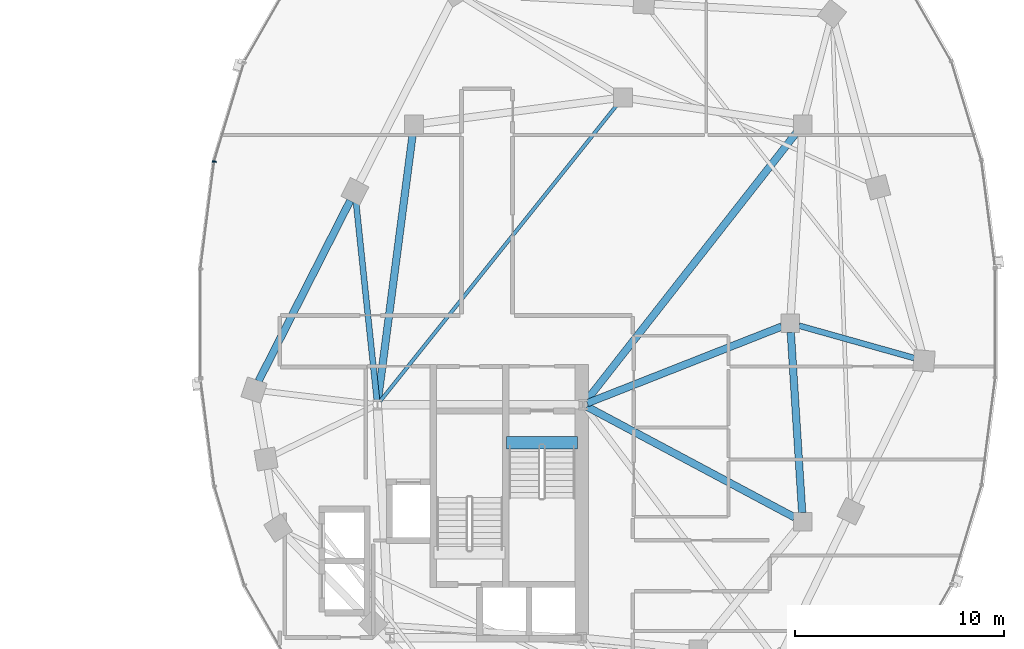
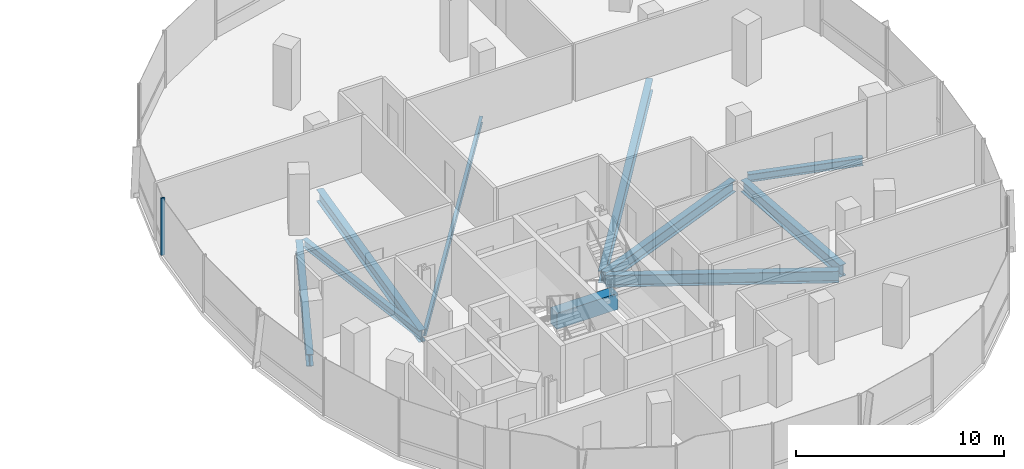
# One storey, part 7 of 22: 10 beams, 1 member, 1 element without a shape of its own.
"""IFC4 building model written with IfcOpenShell, lengths in metres."""

from ifc_helpers import new_model, si_unit, direction, frame, origin, origin_2d, place, context, subcontext, project, spatial, rectangle, i_section, extrude, material, material_profile, profile_set, type_object, element, aggregate, save


model = new_model("IFC4")

# Units and contexts
model_context = context("Model", 3, precision=1e-05, world=origin(), true_north=direction((0.0, 1.0)))
body_context = subcontext(model_context, "Body", "Model", "MODEL_VIEW")
ifc_project = project(units=[si_unit("LENGTHUNIT", "METRE"), si_unit("AREAUNIT", "SQUARE_METRE"), si_unit("VOLUMEUNIT", "CUBIC_METRE"), si_unit("PLANEANGLEUNIT", "RADIAN"), si_unit("MASSUNIT", "GRAM", prefix="KILO"), si_unit("THERMODYNAMICTEMPERATUREUNIT", "KELVIN"), si_unit("POWERUNIT", "WATT")], contexts=[model_context])

# Site, building, storey
site_placement = place(None, origin())
site = spatial("IfcSite", under=ifc_project, at=site_placement, CompositionType="ELEMENT")
building_placement = place(site_placement, origin())
building = spatial("IfcBuilding", under=site, at=building_placement, Name="Cundina Bronze Exchange", CompositionType="ELEMENT")
storey_placement = place(building_placement, frame((0.0, 0.0, 151.199951171875)))
storey = spatial("IfcBuildingStorey", under=building, at=storey_placement, Name="L39", CompositionType="ELEMENT", Elevation=151.199951171875)

# Beams
ifc_material_1 = material(Name="Concrete C60/75", Category="concrete")
ifc_material_profile_1 = material_profile(ifc_material_1, rectangle(XDim=0.60009765625, YDim=0.949951171875, at=origin_2d()), Name="RC600X950", Category="concrete")
ifc_profile_set_1 = profile_set([ifc_material_profile_1], Name="Concrete C60/75")
beam_type_1 = type_object("IfcBeamType", Name="BM-COUP-RC950", PredefinedType="LINTEL", material=ifc_profile_set_1)
beam_1_placement = place(storey_placement, frame((27.6201171875, -5.719970703125, -0.474853515625), z_axis=(1.0, 0.0, 0.0), x_axis=(0.0, 1.0, 0.0)))
element("IfcBeam", 1, at=beam_1_placement, inside=storey, type_object=beam_type_1, Name="L39 Stair E1 Landing Header Beam", PredefinedType="LINTEL", context=body_context, shape_type="SweptSolid", body=[
    extrude(rectangle(XDim=0.60009765625, YDim=0.949951171875, at=origin_2d()), origin(), (0.0, 0.0, 1.0), 3.39990234375),
])
ifc_material_2 = material(Name="Steel ASTM A992 Grade 50", Category="steel")
ifc_material_profile_2 = material_profile(ifc_material_2, i_section(OverallWidth=0.280029296875, OverallDepth=0.462890625, WebThickness=0.0107421875, FlangeThickness=0.017333984375, FilletRadius=0.011962890625, at=origin_2d()), Name="W18X76", Category="steel")
ifc_profile_set_2 = profile_set([ifc_material_profile_2], Name="Steel ASTM A992 Grade 50")
beam_type_2 = type_object("IfcBeamType", Name="BM-FLR-W18A", PredefinedType="BEAM", material=ifc_profile_set_2)
beam_2_placement = place(storey_placement, frame((41.62158203125, -0.11865234375, -0.471435546875), z_axis=(0.962649202648, -0.270751754643, 0.0), x_axis=(0.270751754643, 0.962649202648, 0.0)))
element("IfcBeam", 2, at=beam_2_placement, inside=storey, type_object=beam_type_2, Name="L39 Leg E Chordal Floor Beam 08", PredefinedType="BEAM", context=body_context, shape_type="SweptSolid", body=[
    extrude(i_section(OverallWidth=0.280029296875, OverallDepth=0.462890625, WebThickness=0.0107421875, FlangeThickness=0.017333984375, FilletRadius=0.011962890625, at=origin_2d()), origin(), (0.0, 0.0, 1.0), 5.72216796875),
])
beam_3_placement = place(storey_placement, frame((21.4287109375, -3.697021484375, -0.471435546875), z_axis=(-0.104834931651, 0.9944896365, 0.0), x_axis=(-0.9944896365, -0.104834931651, 0.0)))
element("IfcBeam", 3, at=beam_3_placement, inside=storey, type_object=beam_type_2, Name="L39 Leg E Chordal Floor Beam 13", PredefinedType="BEAM", context=body_context, shape_type="SweptSolid", body=[
    extrude(i_section(OverallWidth=0.280029296875, OverallDepth=0.462890625, WebThickness=0.0107421875, FlangeThickness=0.017333984375, FilletRadius=0.011962890625, at=origin_2d()), origin(), (0.0, 0.0, 1.0), 9.564453125),
])
ifc_material_profile_3 = material_profile(ifc_material_2, i_section(OverallWidth=0.172119140625, OverallDepth=0.35791015625, WebThickness=0.0078125, FlangeThickness=0.01318359375, FilletRadius=0.010009765625, at=origin_2d()), Name="W14X38", Category="steel")
ifc_profile_set_3 = profile_set([ifc_material_profile_3], Name="Steel ASTM A992 Grade 50")
beam_type_3 = type_object("IfcBeamType", Name="BM-JST-W14", PredefinedType="JOIST", material=ifc_profile_set_3)
beam_4_placement = place(storey_placement, frame((21.577392578125, -3.740478515625, -0.4189453125), z_axis=(0.624370675223, 0.781128196854, 0.0), x_axis=(-0.781128196854, 0.624370675223, 0.0)))
element("IfcBeam", 4, at=beam_4_placement, inside=storey, type_object=beam_type_3, Name="L39 E Interior Core-to-Ring Joist 2", PredefinedType="JOIST", context=body_context, shape_type="SweptSolid", body=[
    extrude(i_section(OverallWidth=0.172119140625, OverallDepth=0.35791015625, WebThickness=0.0078125, FlangeThickness=0.01318359375, FilletRadius=0.010009765625, at=origin_2d()), origin(), (0.0, 0.0, 1.0), 18.177001953125),
])
ifc_material_profile_4 = material_profile(ifc_material_2, i_section(OverallWidth=0.35498046875, OverallDepth=0.695068359375, WebThickness=0.015380859375, FlangeThickness=0.02490234375, FilletRadius=0.01806640625, at=origin_2d()), Name="W27X146", Category="steel")
ifc_profile_set_4 = profile_set([ifc_material_profile_4], Name="Steel ASTM A992 Grade 50")
beam_type_4 = type_object("IfcBeamType", Name="BM-RING-W27", PredefinedType="USERDEFINED", material=ifc_profile_set_4)
beam_5_placement = place(storey_placement, frame((41.7724609375, -9.06298828125, -0.58740234375), z_axis=(-0.063046519736, 0.998010589297, 0.0), x_axis=(-0.998010589297, -0.063046519736, 0.0)))
element("IfcBeam", 5, at=beam_5_placement, inside=storey, type_object=beam_type_4, Name="L39 E Inner Structural Ring Girder 03", ObjectType="GIRDER", PredefinedType="USERDEFINED", context=body_context, shape_type="SweptSolid", body=[
    extrude(i_section(OverallWidth=0.35498046875, OverallDepth=0.695068359375, WebThickness=0.015380859375, FlangeThickness=0.02490234375, FilletRadius=0.01806640625, at=origin_2d()), origin(), (0.0, 0.0, 1.0), 8.64306640625),
])
beam_6_placement = place(storey_placement, frame((23.143310546875, 9.065673828125, -0.58740234375), z_axis=(-0.129507030047, -0.991578503785, 0.0), x_axis=(0.991578503785, -0.129507030047, 0.0)))
element("IfcBeam", 6, at=beam_6_placement, inside=storey, type_object=beam_type_4, Name="L39 E Inner Structural Ring Girder 07", ObjectType="GIRDER", PredefinedType="USERDEFINED", context=body_context, shape_type="SweptSolid", body=[
    extrude(i_section(OverallWidth=0.35498046875, OverallDepth=0.695068359375, WebThickness=0.015380859375, FlangeThickness=0.02490234375, FilletRadius=0.01806640625, at=origin_2d()), origin(), (0.0, 0.0, 1.0), 12.871826171875),
])
beam_7_placement = place(storey_placement, frame((31.48974609375, -3.8251953125, -0.58740234375), z_axis=(0.930405617189, 0.36653156413, 0.0), x_axis=(-0.36653156413, 0.930405617189, 0.0)))
element("IfcBeam", 7, at=beam_7_placement, inside=storey, type_object=beam_type_4, Name="L39 E Core-to-Waist Tie Beam 1", ObjectType="GIRDER", PredefinedType="USERDEFINED", context=body_context, shape_type="SweptSolid", body=[
    extrude(i_section(OverallWidth=0.35498046875, OverallDepth=0.695068359375, WebThickness=0.015380859375, FlangeThickness=0.02490234375, FilletRadius=0.01806640625, at=origin_2d()), origin(), (0.0, 0.0, 1.0), 9.99853515625),
])
beam_8_placement = place(storey_placement, frame((31.47998046875, -3.99609375, -0.58740234375), z_axis=(0.88235534237, -0.470583733028, 0.0), x_axis=(0.470583733028, 0.88235534237, 0.0)))
element("IfcBeam", 8, at=beam_8_placement, inside=storey, type_object=beam_type_4, Name="L39 E Core-to-Waist Tie Beam 2", ObjectType="GIRDER", PredefinedType="USERDEFINED", context=body_context, shape_type="SweptSolid", body=[
    extrude(i_section(OverallWidth=0.35498046875, OverallDepth=0.695068359375, WebThickness=0.015380859375, FlangeThickness=0.02490234375, FilletRadius=0.01806640625, at=origin_2d()), origin(), (0.0, 0.0, 1.0), 11.258056640625),
])
beam_9_placement = place(storey_placement, frame((31.42578125, -3.739501953125, -0.58740234375), z_axis=(0.616779109924, 0.787136283982, 0.0), x_axis=(-0.787136283982, 0.616779109924, 0.0)))
element("IfcBeam", 9, at=beam_9_placement, inside=storey, type_object=beam_type_4, Name="L39 E Core-to-Waist Tie Beam 3", ObjectType="GIRDER", PredefinedType="USERDEFINED", context=body_context, shape_type="SweptSolid", body=[
    extrude(i_section(OverallWidth=0.35498046875, OverallDepth=0.695068359375, WebThickness=0.015380859375, FlangeThickness=0.02490234375, FilletRadius=0.01806640625, at=origin_2d()), origin(), (0.0, 0.0, 1.0), 16.3818359375),
])
beam_10_placement = place(storey_placement, frame((20.154052734375, 5.864990234375, -0.58740234375), z_axis=(-0.452834585354, -0.891594548159, 0.0), x_axis=(0.891594548159, -0.452834585354, 0.0)))
element("IfcBeam", 10, at=beam_10_placement, inside=storey, type_object=beam_type_4, Name="L39 E Perimeter Ring Girder 13", ObjectType="GIRDER", PredefinedType="USERDEFINED", context=body_context, shape_type="SweptSolid", body=[
    extrude(i_section(OverallWidth=0.35498046875, OverallDepth=0.695068359375, WebThickness=0.015380859375, FlangeThickness=0.02490234375, FilletRadius=0.01806640625, at=origin_2d()), origin(), (0.0, 0.0, 1.0), 9.67919921875),
])

# Curtain wall, member
ifc_material_3 = material(Name="Anodised Bronze Aluminium 6063-T6", Category="aluminium")
curtain_wall_type = type_object("IfcCurtainWallType", Name="CWS-WST-PIN", PredefinedType="NOTDEFINED", material=ifc_material_3)
curtain_wall_placement = place(storey_placement, origin())
curtain_wall = element("IfcCurtainWall", 11, at=curtain_wall_placement, inside=storey, type_object=curtain_wall_type, Name="L39 CW-04 Curtain Wall Run CWR-L39-E2", PredefinedType="NOTDEFINED")
ifc_material_profile_5 = material_profile(ifc_material_3, rectangle(XDim=0.070068359375, YDim=0.18994140625, at=origin_2d()), Name="AL70X190", Category="aluminium")
ifc_profile_set_5 = profile_set([ifc_material_profile_5], Name="Anodised Bronze Aluminium 6063-T6")
member_type = type_object("IfcMemberType", Name="CWM-MUL-190", PredefinedType="MULLION", material=ifc_profile_set_5)
member_placement = place(storey_placement, frame((13.642822265625, 7.731689453125, 0.0), z_axis=(0.0, 0.0, 1.0), x_axis=(-0.126545236492, -0.991960837494, 0.0)))
member = element("IfcMember", 12, at=member_placement, type_object=member_type, Name="CW-04 Mullion 6", PredefinedType="MULLION", context=body_context, shape_type="SweptSolid", body=[
    extrude(rectangle(XDim=0.070068359375, YDim=0.18994140625, at=origin_2d()), origin(), (0.0, 0.0, 1.0), 3.360107421875),
])
aggregate(curtain_wall, [member])

save(model, "model.ifc")
